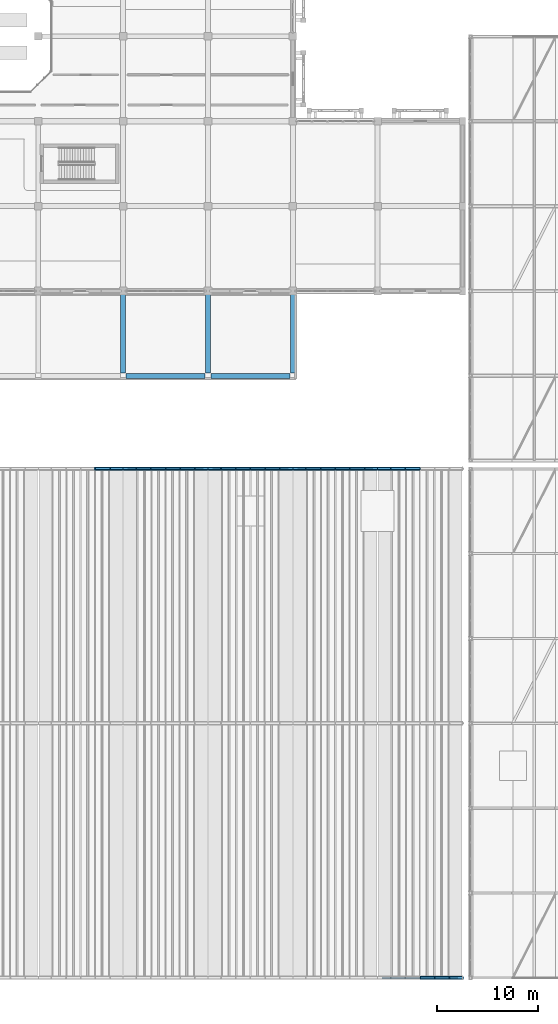
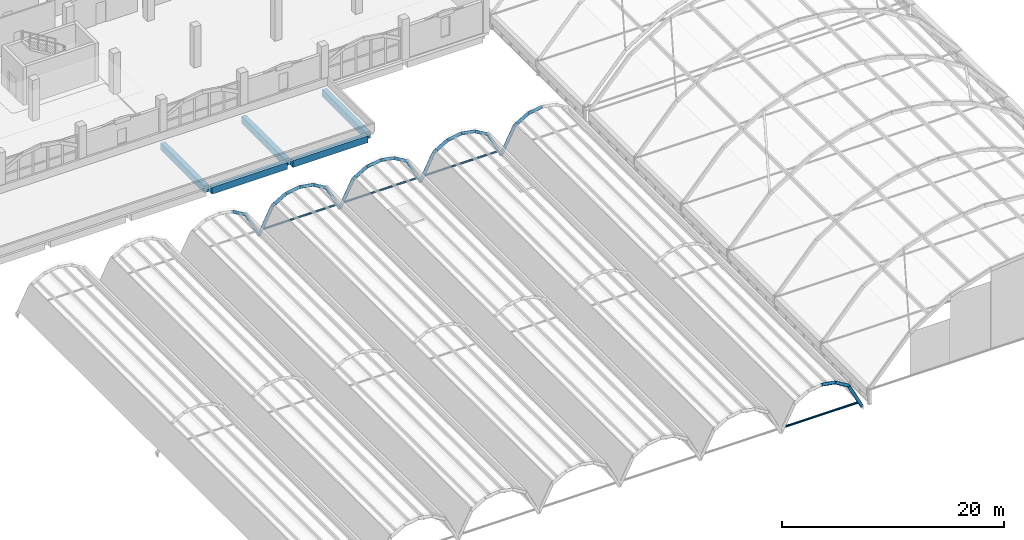
# One storey, part 10 of 114: 35 beams.
"""IFC4 building model written with IfcOpenShell, lengths in metres."""

from ifc_helpers import new_model, si_unit, direction, frame, origin, origin_2d, place, context, subcontext, project, spatial, rectangle, hollow_circle, extrude, material, material_profile, profile_set, type_object, element, save


model = new_model("IFC4")

# Units and contexts
model_context = context("Model", 3, precision=1e-05, world=origin(), true_north=direction((0.0, 1.0)))
body_context = subcontext(model_context, "Body", "Model", "MODEL_VIEW")
ifc_project = project(units=[si_unit("LENGTHUNIT", "METRE"), si_unit("AREAUNIT", "SQUARE_METRE"), si_unit("VOLUMEUNIT", "CUBIC_METRE"), si_unit("PLANEANGLEUNIT", "RADIAN"), si_unit("MASSUNIT", "GRAM", prefix="KILO")], contexts=[model_context])

# Site, building, storey
site_placement = place(None, origin())
site = spatial("IfcSite", under=ifc_project, at=site_placement, CompositionType="ELEMENT")
building_placement = place(site_placement, origin())
building = spatial("IfcBuilding", under=site, at=building_placement, Name="Xazarin Passage Department Store", CompositionType="ELEMENT")
storey_placement = place(building_placement, frame((0.0, 0.0, 14.39990234375)))
storey = spatial("IfcBuildingStorey", under=building, at=storey_placement, Name="L03", CompositionType="ELEMENT", Elevation=14.39990234375)

# Beams
ifc_material_1 = material(Name="Steel S355", Category="steel")
ifc_material_profile_1 = material_profile(ifc_material_1, hollow_circle(Radius=0.161865234375, WallThickness=0.01611328125, at=origin_2d()), Name="CHS 323.9x16")
ifc_profile_set_1 = profile_set([ifc_material_profile_1], Name="Steel S355")
beam_type_1 = type_object("IfcBeamType", Name="STR-BM-AR324", PredefinedType="BEAM", material=ifc_profile_set_1)
beam_1_placement = place(storey_placement, frame((30.800048828125, 50.39990234375, 3.561279296875), z_axis=(0.861930350886, 0.0, -0.507026695769), x_axis=(0.0, 1.0, 0.0)))
element("IfcBeam", 1, at=beam_1_placement, inside=storey, type_object=beam_type_1, Name="L03 V3 Curved Shell Arch Rib 3.3.5", PredefinedType="BEAM", context=body_context, shape_type="SweptSolid", body=[
    extrude(hollow_circle(Radius=0.161865234375, WallThickness=0.01611328125, at=origin_2d()), origin(), (0.0, 0.0, 1.0), 1.624267578125),
])
for number, where, z_axis, x_axis, name in (
    (2, (32.199951171875, 50.39990234375, 2.73779296875), (0.45532507494, 0.0, -0.890325264233), (0.0, 1.0, 0.0), "L03 V3 Curved Shell Arch Rib 3.3.6"),
    (3, (33.60009765625, 50.39990234375, 0.0), (0.455262137498, 0.0, 0.890357448535), (0.0, 1.0, 0.0), "L03 V3 Curved Shell Arch Rib 4.3.1"),
):
    element("IfcBeam", number, at=place(storey_placement, frame(where, z_axis=z_axis, x_axis=x_axis)), inside=storey, type_object=beam_type_1, Name=name, PredefinedType="BEAM", context=body_context, shape_type="SweptSolid", body=[
        extrude(hollow_circle(Radius=0.161865234375, WallThickness=0.01611328125, at=origin_2d()), origin(), (0.0, 0.0, 1.0), 3.074951171875),
    ])
beam_2_placement = place(storey_placement, frame((35.0, 50.39990234375, 2.73779296875), z_axis=(0.861930350886, 0.0, 0.507026695769), x_axis=(0.0, 1.0, 0.0)))
element("IfcBeam", 4, at=beam_2_placement, inside=storey, type_object=beam_type_1, Name="L03 V3 Curved Shell Arch Rib 4.3.2", PredefinedType="BEAM", context=body_context, shape_type="SweptSolid", body=[
    extrude(hollow_circle(Radius=0.161865234375, WallThickness=0.01611328125, at=origin_2d()), origin(), (0.0, 0.0, 1.0), 1.624267578125),
])
beam_3_placement = place(storey_placement, frame((36.39990234375, 50.39990234375, 3.561279296875), z_axis=(0.985769095159, 0.0, 0.168105000011), x_axis=(0.0, 1.0, 0.0)))
element("IfcBeam", 5, at=beam_3_placement, inside=storey, type_object=beam_type_1, Name="L03 V3 Curved Shell Arch Rib 4.3.3", PredefinedType="BEAM", context=body_context, shape_type="SweptSolid", body=[
    extrude(hollow_circle(Radius=0.161865234375, WallThickness=0.01611328125, at=origin_2d()), origin(), (0.0, 0.0, 1.0), 1.42041015625),
])
beam_4_placement = place(storey_placement, frame((37.800048828125, 50.39990234375, 3.800048828125), z_axis=(0.985764236534, 0.0, -0.168133488547), x_axis=(0.0, 1.0, 0.0)))
element("IfcBeam", 6, at=beam_4_placement, inside=storey, type_object=beam_type_1, Name="L03 V3 Curved Shell Arch Rib 4.3.4", PredefinedType="BEAM", context=body_context, shape_type="SweptSolid", body=[
    extrude(hollow_circle(Radius=0.161865234375, WallThickness=0.01611328125, at=origin_2d()), origin(), (0.0, 0.0, 1.0), 1.420166015625),
])
beam_5_placement = place(storey_placement, frame((39.199951171875, 50.39990234375, 3.561279296875), z_axis=(0.861968986848, 0.0, -0.506961010051), x_axis=(0.0, 1.0, 0.0)))
element("IfcBeam", 7, at=beam_5_placement, inside=storey, type_object=beam_type_1, Name="L03 V3 Curved Shell Arch Rib 4.3.5", PredefinedType="BEAM", context=body_context, shape_type="SweptSolid", body=[
    extrude(hollow_circle(Radius=0.161865234375, WallThickness=0.01611328125, at=origin_2d()), origin(), (0.0, 0.0, 1.0), 1.624267578125),
])
for number, where, z_axis, x_axis, name in (
    (8, (40.60009765625, 50.39990234375, 2.73779296875), (0.455262137498, 0.0, -0.890357448535), (0.0, 1.0, 0.0), "L03 V3 Curved Shell Arch Rib 4.3.6"),
    (9, (42.0, 50.39990234375, 0.0), (0.455262137498, 0.0, 0.890357448535), (0.0, 1.0, 0.0), "L03 V3 Curved Shell Arch Rib 5.3.1"),
):
    element("IfcBeam", number, at=place(storey_placement, frame(where, z_axis=z_axis, x_axis=x_axis)), inside=storey, type_object=beam_type_1, Name=name, PredefinedType="BEAM", context=body_context, shape_type="SweptSolid", body=[
        extrude(hollow_circle(Radius=0.161865234375, WallThickness=0.01611328125, at=origin_2d()), origin(), (0.0, 0.0, 1.0), 3.074951171875),
    ])
beam_6_placement = place(storey_placement, frame((43.39990234375, 50.39990234375, 2.73779296875), z_axis=(0.861968986848, 0.0, 0.506961010051), x_axis=(0.0, 1.0, 0.0)))
element("IfcBeam", 10, at=beam_6_placement, inside=storey, type_object=beam_type_1, Name="L03 V3 Curved Shell Arch Rib 5.3.2", PredefinedType="BEAM", context=body_context, shape_type="SweptSolid", body=[
    extrude(hollow_circle(Radius=0.161865234375, WallThickness=0.01611328125, at=origin_2d()), origin(), (0.0, 0.0, 1.0), 1.624267578125),
])
beam_7_placement = place(storey_placement, frame((44.800048828125, 50.39990234375, 3.561279296875), z_axis=(0.985764236534, 0.0, 0.168133488547), x_axis=(0.0, 1.0, 0.0)))
element("IfcBeam", 11, at=beam_7_placement, inside=storey, type_object=beam_type_1, Name="L03 V3 Curved Shell Arch Rib 5.3.3", PredefinedType="BEAM", context=body_context, shape_type="SweptSolid", body=[
    extrude(hollow_circle(Radius=0.161865234375, WallThickness=0.01611328125, at=origin_2d()), origin(), (0.0, 0.0, 1.0), 1.420166015625),
])
beam_8_placement = place(storey_placement, frame((46.199951171875, 50.39990234375, 3.800048828125), z_axis=(0.985769095159, 0.0, -0.168105000011), x_axis=(0.0, 1.0, 0.0)))
element("IfcBeam", 12, at=beam_8_placement, inside=storey, type_object=beam_type_1, Name="L03 V3 Curved Shell Arch Rib 5.3.4", PredefinedType="BEAM", context=body_context, shape_type="SweptSolid", body=[
    extrude(hollow_circle(Radius=0.161865234375, WallThickness=0.01611328125, at=origin_2d()), origin(), (0.0, 0.0, 1.0), 1.42041015625),
])
beam_9_placement = place(storey_placement, frame((47.60009765625, 50.39990234375, 3.561279296875), z_axis=(0.861930350886, 0.0, -0.507026695769), x_axis=(0.0, 1.0, 0.0)))
element("IfcBeam", 13, at=beam_9_placement, inside=storey, type_object=beam_type_1, Name="L03 V3 Curved Shell Arch Rib 5.3.5", PredefinedType="BEAM", context=body_context, shape_type="SweptSolid", body=[
    extrude(hollow_circle(Radius=0.161865234375, WallThickness=0.01611328125, at=origin_2d()), origin(), (0.0, 0.0, 1.0), 1.624267578125),
])
for number, where, z_axis, x_axis, name in (
    (14, (49.0, 50.39990234375, 2.73779296875), (0.455262137498, 0.0, -0.890357448535), (0.0, 1.0, 0.0), "L03 V3 Curved Shell Arch Rib 5.3.6"),
    (15, (50.39990234375, 50.39990234375, 0.0), (0.45532507494, 0.0, 0.890325264233), (0.0, 1.0, 0.0), "L03 V3 Curved Shell Arch Rib 6.3.1"),
):
    element("IfcBeam", number, at=place(storey_placement, frame(where, z_axis=z_axis, x_axis=x_axis)), inside=storey, type_object=beam_type_1, Name=name, PredefinedType="BEAM", context=body_context, shape_type="SweptSolid", body=[
        extrude(hollow_circle(Radius=0.161865234375, WallThickness=0.01611328125, at=origin_2d()), origin(), (0.0, 0.0, 1.0), 3.074951171875),
    ])
beam_10_placement = place(storey_placement, frame((51.800048828125, 50.39990234375, 2.73779296875), z_axis=(0.861930350886, 0.0, 0.507026695769), x_axis=(0.0, 1.0, 0.0)))
element("IfcBeam", 16, at=beam_10_placement, inside=storey, type_object=beam_type_1, Name="L03 V3 Curved Shell Arch Rib 6.3.2", PredefinedType="BEAM", context=body_context, shape_type="SweptSolid", body=[
    extrude(hollow_circle(Radius=0.161865234375, WallThickness=0.01611328125, at=origin_2d()), origin(), (0.0, 0.0, 1.0), 1.624267578125),
])
beam_11_placement = place(storey_placement, frame((53.199951171875, 50.39990234375, 3.561279296875), z_axis=(0.985769095159, 0.0, 0.168105000011), x_axis=(0.0, 1.0, 0.0)))
element("IfcBeam", 17, at=beam_11_placement, inside=storey, type_object=beam_type_1, Name="L03 V3 Curved Shell Arch Rib 6.3.3", PredefinedType="BEAM", context=body_context, shape_type="SweptSolid", body=[
    extrude(hollow_circle(Radius=0.161865234375, WallThickness=0.01611328125, at=origin_2d()), origin(), (0.0, 0.0, 1.0), 1.42041015625),
])
beam_12_placement = place(storey_placement, frame((54.60009765625, 50.39990234375, 3.800048828125), z_axis=(0.985764236534, 0.0, -0.168133488547), x_axis=(0.0, 1.0, 0.0)))
element("IfcBeam", 18, at=beam_12_placement, inside=storey, type_object=beam_type_1, Name="L03 V3 Curved Shell Arch Rib 6.3.4", PredefinedType="BEAM", context=body_context, shape_type="SweptSolid", body=[
    extrude(hollow_circle(Radius=0.161865234375, WallThickness=0.01611328125, at=origin_2d()), origin(), (0.0, 0.0, 1.0), 1.420166015625),
])
beam_13_placement = place(storey_placement, frame((56.0, 50.39990234375, 3.561279296875), z_axis=(0.861930350886, 0.0, -0.507026695769), x_axis=(0.0, 1.0, 0.0)))
element("IfcBeam", 19, at=beam_13_placement, inside=storey, type_object=beam_type_1, Name="L03 V3 Curved Shell Arch Rib 6.3.5", PredefinedType="BEAM", context=body_context, shape_type="SweptSolid", body=[
    extrude(hollow_circle(Radius=0.161865234375, WallThickness=0.01611328125, at=origin_2d()), origin(), (0.0, 0.0, 1.0), 1.624267578125),
])
beam_14_placement = place(storey_placement, frame((57.39990234375, 50.39990234375, 2.73779296875), z_axis=(0.45532507494, 0.0, -0.890325264233), x_axis=(0.0, 1.0, 0.0)))
element("IfcBeam", 20, at=beam_14_placement, inside=storey, type_object=beam_type_1, Name="L03 V3 Curved Shell Arch Rib 6.3.6", PredefinedType="BEAM", context=body_context, shape_type="SweptSolid", body=[
    extrude(hollow_circle(Radius=0.161865234375, WallThickness=0.01611328125, at=origin_2d()), origin(), (0.0, 0.0, 1.0), 3.074951171875),
])
beam_15_placement = place(storey_placement, frame((63.0, 0.0, 3.800048828125), z_axis=(0.985764236534, 0.0, -0.168133488547), x_axis=(0.0, 1.0, 0.0)))
element("IfcBeam", 21, at=beam_15_placement, inside=storey, type_object=beam_type_1, Name="L03 V3 Curved Shell Arch Rib 7.1.4", PredefinedType="BEAM", context=body_context, shape_type="SweptSolid", body=[
    extrude(hollow_circle(Radius=0.161865234375, WallThickness=0.01611328125, at=origin_2d()), origin(), (0.0, 0.0, 1.0), 1.420166015625),
])
beam_16_placement = place(storey_placement, frame((64.39990234375, 0.0, 3.561279296875), z_axis=(0.861968986848, 0.0, -0.506961010051), x_axis=(0.0, 1.0, 0.0)))
element("IfcBeam", 22, at=beam_16_placement, inside=storey, type_object=beam_type_1, Name="L03 V3 Curved Shell Arch Rib 7.1.5", PredefinedType="BEAM", context=body_context, shape_type="SweptSolid", body=[
    extrude(hollow_circle(Radius=0.161865234375, WallThickness=0.01611328125, at=origin_2d()), origin(), (0.0, 0.0, 1.0), 1.624267578125),
])
for number, where, z_axis, x_axis, name in (
    (23, (65.800048828125, 0.0, 2.73779296875), (0.455262137498, 0.0, -0.890357448535), (0.0, 1.0, 0.0), "L03 V3 Curved Shell Arch Rib 7.1.6"),
    (24, (58.800048828125, 50.39990234375, 0.0), (0.455262137498, 0.0, 0.890357448535), (0.0, 1.0, 0.0), "L03 V3 Curved Shell Arch Rib 7.3.1"),
):
    element("IfcBeam", number, at=place(storey_placement, frame(where, z_axis=z_axis, x_axis=x_axis)), inside=storey, type_object=beam_type_1, Name=name, PredefinedType="BEAM", context=body_context, shape_type="SweptSolid", body=[
        extrude(hollow_circle(Radius=0.161865234375, WallThickness=0.01611328125, at=origin_2d()), origin(), (0.0, 0.0, 1.0), 3.074951171875),
    ])
beam_17_placement = place(storey_placement, frame((60.199951171875, 50.39990234375, 2.73779296875), z_axis=(0.861968986848, 0.0, 0.506961010051), x_axis=(0.0, 1.0, 0.0)))
element("IfcBeam", 25, at=beam_17_placement, inside=storey, type_object=beam_type_1, Name="L03 V3 Curved Shell Arch Rib 7.3.2", PredefinedType="BEAM", context=body_context, shape_type="SweptSolid", body=[
    extrude(hollow_circle(Radius=0.161865234375, WallThickness=0.01611328125, at=origin_2d()), origin(), (0.0, 0.0, 1.0), 1.624267578125),
])
beam_18_placement = place(storey_placement, frame((61.60009765625, 50.39990234375, 3.561279296875), z_axis=(0.985764236534, 0.0, 0.168133488547), x_axis=(0.0, 1.0, 0.0)))
element("IfcBeam", 26, at=beam_18_placement, inside=storey, type_object=beam_type_1, Name="L03 V3 Curved Shell Arch Rib 7.3.3", PredefinedType="BEAM", context=body_context, shape_type="SweptSolid", body=[
    extrude(hollow_circle(Radius=0.161865234375, WallThickness=0.01611328125, at=origin_2d()), origin(), (0.0, 0.0, 1.0), 1.420166015625),
])
ifc_material_2 = material(Name="Concrete C35/45", Category="concrete")
ifc_material_profile_2 = material_profile(ifc_material_2, rectangle(XDim=0.5, YDim=0.75, at=origin_2d()), Name="RC 500x750")
ifc_profile_set_2 = profile_set([ifc_material_profile_2], Name="Concrete C35/45")
beam_type_2 = type_object("IfcBeamType", Name="STR-BM-SP500x750", PredefinedType="SPANDREL", material=ifc_profile_set_2)
for number, where, z_axis, x_axis, name in (
    (27, (33.8798828125, 59.60009765625, -0.6748046875), (1.0, 0.0, 0.0), (0.0, 1.0, 0.0), "L03 Grid Beam J/5-6"),
    (28, (42.280029296875, 59.60009765625, -0.6748046875), (1.0, 0.0, 0.0), (0.0, 1.0, 0.0), "L03 Grid Beam J/6-7"),
    (29, (33.60009765625, 59.8798828125, -0.6748046875), (0.0, 1.0, 0.0), (-1.0, 0.0, 0.0), "L03 Grid Beam 5/J-K"),
    (30, (42.0, 59.8798828125, -0.6748046875), (0.0, 1.0, 0.0), (-1.0, 0.0, 0.0), "L03 Grid Beam 6/J-K"),
    (31, (50.39990234375, 59.8798828125, -0.6748046875), (0.0, 1.0, 0.0), (-1.0, 0.0, 0.0), "L03 Grid Beam 7/J-K"),
):
    element("IfcBeam", number, at=place(storey_placement, frame(where, z_axis=z_axis, x_axis=x_axis)), inside=storey, type_object=beam_type_2, Name=name, PredefinedType="SPANDREL", context=body_context, shape_type="SweptSolid", body=[
        extrude(rectangle(XDim=0.5, YDim=0.75, at=origin_2d()), origin(), (0.0, 0.0, 1.0), 7.840087890625),
    ])
ifc_material_profile_3 = material_profile(ifc_material_1, hollow_circle(Radius=0.109619140625, WallThickness=0.012451171875, at=origin_2d()), Name="CHS 219.1x12.5")
ifc_profile_set_3 = profile_set([ifc_material_profile_3], Name="Steel S355")
beam_type_3 = type_object("IfcBeamType", Name="STR-BM-TIE219", PredefinedType="BEAM", material=ifc_profile_set_3)
for number, where, z_axis, x_axis, name in (
    (32, (34.050048828125, 50.39990234375, 0.52001953125), (1.0, 0.0, 0.0), (0.0, 1.0, 0.0), "L03 V3 Barrel Shell Tie 4.3"),
    (33, (42.449951171875, 50.39990234375, 0.52001953125), (1.0, 0.0, 0.0), (0.0, 1.0, 0.0), "L03 V3 Barrel Shell Tie 5.3"),
    (34, (50.85009765625, 50.39990234375, 0.52001953125), (1.0, 0.0, 0.0), (0.0, 1.0, 0.0), "L03 V3 Barrel Shell Tie 6.3"),
    (35, (59.25, 0.0, 0.52001953125), (1.0, 0.0, 0.0), (0.0, 1.0, 0.0), "L03 V3 Barrel Shell Tie 7.1"),
):
    element("IfcBeam", number, at=place(storey_placement, frame(where, z_axis=z_axis, x_axis=x_axis)), inside=storey, type_object=beam_type_3, Name=name, PredefinedType="BEAM", context=body_context, shape_type="SweptSolid", body=[
        extrude(hollow_circle(Radius=0.109619140625, WallThickness=0.012451171875, at=origin_2d()), origin(), (0.0, 0.0, 1.0), 7.5),
    ])

save(model, "model.ifc")
